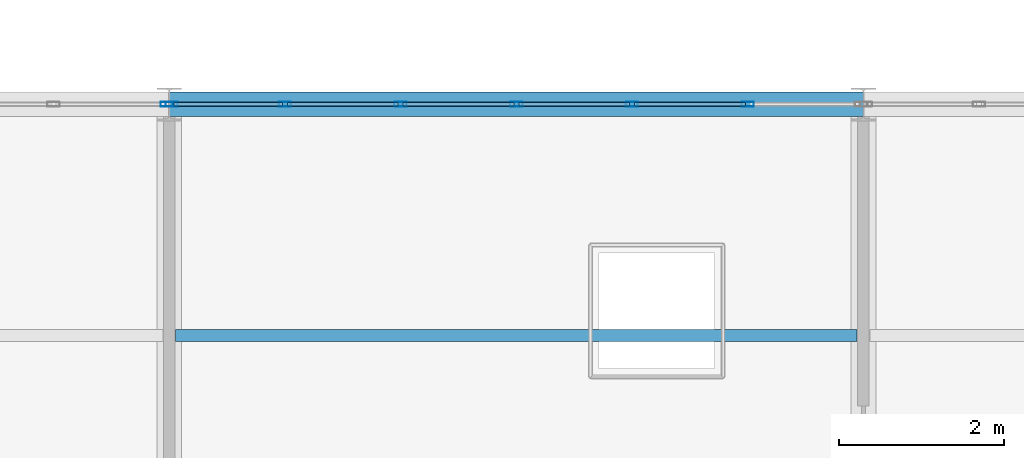
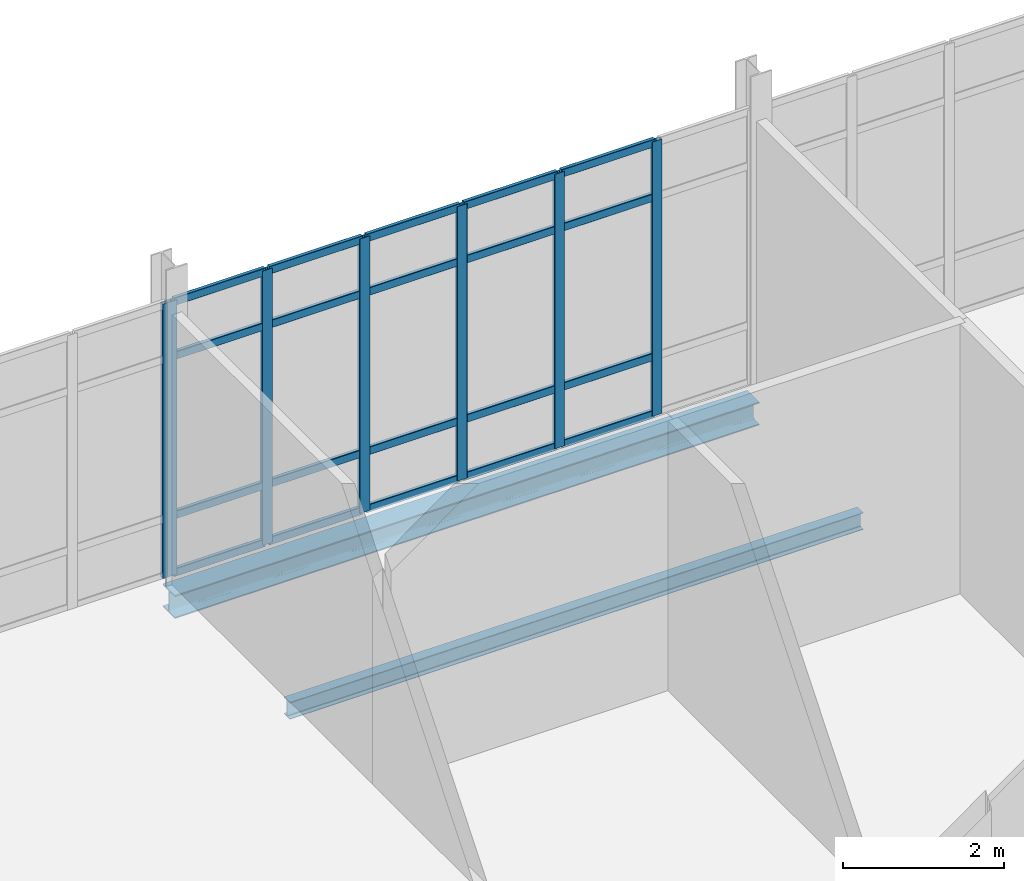
# One storey, part 64 of 145: 27 members, 2 beams, 2 elements without a shape of their own.
"""IFC4 building model written with IfcOpenShell, lengths in metres."""

from ifc_helpers import new_model, si_unit, direction, frame, origin, origin_2d, place, context, subcontext, project, spatial, hollow_rectangle, i_section, extrude, material, layer, layer_set, material_profile, profile_set, type_object, element, aggregate, save


model = new_model("IFC4")

# Units and contexts
model_context = context("Model", 3, precision=1e-05, world=origin(), true_north=direction((0.0, 1.0)))
body_context = subcontext(model_context, "Body", "Model", "MODEL_VIEW")
ifc_project = project(units=[si_unit("LENGTHUNIT", "METRE"), si_unit("AREAUNIT", "SQUARE_METRE"), si_unit("VOLUMEUNIT", "CUBIC_METRE"), si_unit("PLANEANGLEUNIT", "RADIAN"), si_unit("MASSUNIT", "GRAM", prefix="KILO")], contexts=[model_context])

# Site, building, storey
site_placement = place(None, origin())
site = spatial("IfcSite", under=ifc_project, at=site_placement, CompositionType="ELEMENT")
building_placement = place(site_placement, origin())
building = spatial("IfcBuilding", under=site, at=building_placement, Name="Qalvenar Corner Mobility Hub", CompositionType="ELEMENT")
storey_placement = place(building_placement, origin())
storey = spatial("IfcBuildingStorey", under=building, at=storey_placement, Name="L00", CompositionType="ELEMENT", Elevation=0.0)

# Beams
ifc_material_1 = material(Name="Steel S355", Category="steel")
ifc_material_profile_1 = material_profile(ifc_material_1, i_section(OverallWidth=0.14599609375, OverallDepth=0.258056640625, WebThickness=0.006103515625, FlangeThickness=0.009033203125, FilletRadius=0.011962890625, at=origin_2d()), Name="W250x32.7")
ifc_profile_set_1 = profile_set([ifc_material_profile_1], Name="Steel S355")
beam_type_1 = type_object("IfcBeamType", Name="BM-JST250", PredefinedType="JOIST", material=ifc_profile_set_1)
beam_1_placement = place(storey_placement, frame((8.47802734375, 89.60009765625, -0.34912109375), z_axis=(1.0, 0.0, 0.0), x_axis=(0.0, 1.0, 0.0)))
element("IfcBeam", 1, at=beam_1_placement, inside=storey, type_object=beam_type_1, Name="Composite Floor Joist J-0498", PredefinedType="JOIST", context=body_context, shape_type="SweptSolid", body=[
    extrude(i_section(OverallWidth=0.14599609375, OverallDepth=0.258056640625, WebThickness=0.006103515625, FlangeThickness=0.009033203125, FilletRadius=0.011962890625, at=origin_2d()), origin(), (0.0, 0.0, 1.0), 8.243896484375),
])
ifc_material_profile_2 = material_profile(ifc_material_1, i_section(OverallWidth=0.300048828125, OverallDepth=0.35009765625, WebThickness=0.010009765625, FlangeThickness=0.017578125, FilletRadius=0.027099609375, at=origin_2d()), Name="HEA360")
ifc_profile_set_2 = profile_set([ifc_material_profile_2], Name="Steel S355")
beam_type_2 = type_object("IfcBeamType", Name="BM-SPN360", PredefinedType="SPANDREL", material=ifc_profile_set_2)
beam_2_placement = place(storey_placement, frame((8.39990234375, 92.39990234375, -0.39501953125), z_axis=(1.0, 0.0, 0.0), x_axis=(0.0, 1.0, 0.0)))
element("IfcBeam", 2, at=beam_2_placement, inside=storey, type_object=beam_type_2, Name="Primary Steel Girder GX-0444", PredefinedType="SPANDREL", context=body_context, shape_type="SweptSolid", body=[
    extrude(i_section(OverallWidth=0.300048828125, OverallDepth=0.35009765625, WebThickness=0.010009765625, FlangeThickness=0.017578125, FilletRadius=0.027099609375, at=origin_2d()), origin(), (0.0, 0.0, 1.0), 8.400146484375),
])

# Curtain wall, member
ifc_material_2 = material(Name="Anodised Aluminium and Low-E Glazing", Category="aluminium")
ifc_layer = layer(ifc_material_2, 0.14990234375)
ifc_layer_set = layer_set([ifc_layer], Name="Anodised Aluminium and Low-E Glazing")
curtain_wall_type = type_object("IfcCurtainWallType", Name="CW-CYC-84X39", PredefinedType="NOTDEFINED", material=ifc_layer_set)
curtain_wall_1_placement = place(storey_placement, origin())
curtain_wall_1 = element("IfcCurtainWall", 3, at=curtain_wall_1_placement, inside=storey, type_object=curtain_wall_type, Name="Glazed Curtain Wall CW-V5-L00-N0", PredefinedType="NOTDEFINED")
ifc_material_3 = material(Name="Anodised Aluminium 6063-T6", Category="aluminium")
ifc_material_profile_3 = material_profile(ifc_material_3, hollow_rectangle(XDim=0.06005859375, YDim=0.14990234375, WallThickness=0.00390625, InnerFilletRadius=0.00390625, OuterFilletRadius=0.008056640625, at=origin_2d()), Name="RHS150x60x4")
ifc_profile_set_3 = profile_set([ifc_material_profile_3], Name="Anodised Aluminium 6063-T6")
member_type_1 = type_object("IfcMemberType", Name="CW-MUL150", PredefinedType="MULLION", material=ifc_profile_set_3)
member_1_placement = place(storey_placement, frame((8.3701171875, 92.39990234375, 0.0), z_axis=(0.0, 0.0, 1.0), x_axis=(0.0, -1.0, 0.0)))
member_1 = element("IfcMember", 4, at=member_1_placement, type_object=member_type_1, Name="CW-08 mullion 1", PredefinedType="MULLION", context=body_context, shape_type="SweptSolid", body=[
    extrude(hollow_rectangle(XDim=0.06005859375, YDim=0.14990234375, WallThickness=0.00390625, InnerFilletRadius=0.00390625, OuterFilletRadius=0.008056640625, at=origin_2d()), origin(), (0.0, 0.0, 1.0), 4.169921875),
])
aggregate(curtain_wall_1, [member_1])

# Curtain wall, members
curtain_wall_2_placement = place(storey_placement, origin())
curtain_wall_2 = element("IfcCurtainWall", 5, at=curtain_wall_2_placement, inside=storey, type_object=curtain_wall_type, Name="Glazed Curtain Wall CW-V5-L00-N1", PredefinedType="NOTDEFINED")
member_2_placement = place(storey_placement, frame((15.39990234375, 92.39990234375, 0.0), z_axis=(0.0, 0.0, 1.0), x_axis=(0.0, -1.0, 0.0)))
member_2 = element("IfcMember", 6, at=member_2_placement, type_object=member_type_1, Name="CW-08 mullion 2", PredefinedType="MULLION", context=body_context, shape_type="SweptSolid", body=[
    extrude(hollow_rectangle(XDim=0.06005859375, YDim=0.14990234375, WallThickness=0.00390625, InnerFilletRadius=0.00390625, OuterFilletRadius=0.008056640625, at=origin_2d()), origin(), (0.0, 0.0, 1.0), 4.169921875),
])
member_3_placement = place(storey_placement, frame((14.0, 92.39990234375, 0.0), z_axis=(0.0, 0.0, 1.0), x_axis=(0.0, -1.0, 0.0)))
member_3 = element("IfcMember", 7, at=member_3_placement, type_object=member_type_1, Name="CW-08 mullion 3", PredefinedType="MULLION", context=body_context, shape_type="SweptSolid", body=[
    extrude(hollow_rectangle(XDim=0.06005859375, YDim=0.14990234375, WallThickness=0.00390625, InnerFilletRadius=0.00390625, OuterFilletRadius=0.008056640625, at=origin_2d()), origin(), (0.0, 0.0, 1.0), 4.169921875),
])
member_4_placement = place(storey_placement, frame((12.60009765625, 92.39990234375, 0.0), z_axis=(0.0, 0.0, 1.0), x_axis=(0.0, -1.0, 0.0)))
member_4 = element("IfcMember", 8, at=member_4_placement, type_object=member_type_1, Name="CW-08 mullion 4", PredefinedType="MULLION", context=body_context, shape_type="SweptSolid", body=[
    extrude(hollow_rectangle(XDim=0.06005859375, YDim=0.14990234375, WallThickness=0.00390625, InnerFilletRadius=0.00390625, OuterFilletRadius=0.008056640625, at=origin_2d()), origin(), (0.0, 0.0, 1.0), 4.169921875),
])
member_5_placement = place(storey_placement, frame((11.199951171875, 92.39990234375, 0.0), z_axis=(0.0, 0.0, 1.0), x_axis=(0.0, -1.0, 0.0)))
member_5 = element("IfcMember", 9, at=member_5_placement, type_object=member_type_1, Name="CW-08 mullion 5", PredefinedType="MULLION", context=body_context, shape_type="SweptSolid", body=[
    extrude(hollow_rectangle(XDim=0.06005859375, YDim=0.14990234375, WallThickness=0.00390625, InnerFilletRadius=0.00390625, OuterFilletRadius=0.008056640625, at=origin_2d()), origin(), (0.0, 0.0, 1.0), 4.169921875),
])
member_6_placement = place(storey_placement, frame((9.800048828125, 92.39990234375, 0.0), z_axis=(0.0, 0.0, 1.0), x_axis=(0.0, -1.0, 0.0)))
member_6 = element("IfcMember", 10, at=member_6_placement, type_object=member_type_1, Name="CW-08 mullion 6", PredefinedType="MULLION", context=body_context, shape_type="SweptSolid", body=[
    extrude(hollow_rectangle(XDim=0.06005859375, YDim=0.14990234375, WallThickness=0.00390625, InnerFilletRadius=0.00390625, OuterFilletRadius=0.008056640625, at=origin_2d()), origin(), (0.0, 0.0, 1.0), 4.169921875),
])
member_7_placement = place(storey_placement, frame((8.429931640625, 92.39990234375, 0.0), z_axis=(0.0, 0.0, 1.0), x_axis=(0.0, -1.0, 0.0)))
member_7 = element("IfcMember", 11, at=member_7_placement, type_object=member_type_1, Name="CW-08 mullion 7", PredefinedType="MULLION", context=body_context, shape_type="SweptSolid", body=[
    extrude(hollow_rectangle(XDim=0.06005859375, YDim=0.14990234375, WallThickness=0.00390625, InnerFilletRadius=0.00390625, OuterFilletRadius=0.008056640625, at=origin_2d()), origin(), (0.0, 0.0, 1.0), 4.169921875),
])
ifc_material_profile_4 = material_profile(ifc_material_3, hollow_rectangle(XDim=0.054931640625, YDim=0.1201171875, WallThickness=0.00341796875, InnerFilletRadius=0.00341796875, OuterFilletRadius=0.007080078125, at=origin_2d()), Name="RHS120x55x3.5")
ifc_profile_set_4 = profile_set([ifc_material_profile_4], Name="Anodised Aluminium 6063-T6")
member_type_2 = type_object("IfcMemberType", Name="CW-TRN120", PredefinedType="USERDEFINED", material=ifc_profile_set_4)
member_8_placement = place(storey_placement, frame((15.3701171875, 92.39990234375, 0.027587890625), z_axis=(-1.0, 0.0, 0.0), x_axis=(0.0, -1.0, 0.0)))
member_8 = element("IfcMember", 12, at=member_8_placement, type_object=member_type_2, Name="CW-08 transom 2.1", ObjectType="TRANSOM", PredefinedType="USERDEFINED", context=body_context, shape_type="SweptSolid", body=[
    extrude(hollow_rectangle(XDim=0.054931640625, YDim=0.1201171875, WallThickness=0.00341796875, InnerFilletRadius=0.00341796875, OuterFilletRadius=0.007080078125, at=origin_2d()), origin(), (0.0, 0.0, 1.0), 1.340087890625),
])
member_9_placement = place(storey_placement, frame((15.3701171875, 92.39990234375, 0.89990234375), z_axis=(-1.0, 0.0, 0.0), x_axis=(0.0, -1.0, 0.0)))
member_9 = element("IfcMember", 13, at=member_9_placement, type_object=member_type_2, Name="CW-08 transom 2.2", ObjectType="TRANSOM", PredefinedType="USERDEFINED", context=body_context, shape_type="SweptSolid", body=[
    extrude(hollow_rectangle(XDim=0.054931640625, YDim=0.1201171875, WallThickness=0.00341796875, InnerFilletRadius=0.00341796875, OuterFilletRadius=0.007080078125, at=origin_2d()), origin(), (0.0, 0.0, 1.0), 1.340087890625),
])
member_10_placement = place(storey_placement, frame((15.3701171875, 92.39990234375, 3.320068359375), z_axis=(-1.0, 0.0, 0.0), x_axis=(0.0, -1.0, 0.0)))
member_10 = element("IfcMember", 14, at=member_10_placement, type_object=member_type_2, Name="CW-08 transom 2.3", ObjectType="TRANSOM", PredefinedType="USERDEFINED", context=body_context, shape_type="SweptSolid", body=[
    extrude(hollow_rectangle(XDim=0.054931640625, YDim=0.1201171875, WallThickness=0.00341796875, InnerFilletRadius=0.00341796875, OuterFilletRadius=0.007080078125, at=origin_2d()), origin(), (0.0, 0.0, 1.0), 1.340087890625),
])
member_11_placement = place(storey_placement, frame((15.3701171875, 92.39990234375, 4.142578125), z_axis=(-1.0, 0.0, 0.0), x_axis=(0.0, -1.0, 0.0)))
member_11 = element("IfcMember", 15, at=member_11_placement, type_object=member_type_2, Name="CW-08 transom 2.4", ObjectType="TRANSOM", PredefinedType="USERDEFINED", context=body_context, shape_type="SweptSolid", body=[
    extrude(hollow_rectangle(XDim=0.054931640625, YDim=0.1201171875, WallThickness=0.00341796875, InnerFilletRadius=0.00341796875, OuterFilletRadius=0.007080078125, at=origin_2d()), origin(), (0.0, 0.0, 1.0), 1.340087890625),
])
member_12_placement = place(storey_placement, frame((13.969970703125, 92.39990234375, 0.027587890625), z_axis=(-1.0, 0.0, 0.0), x_axis=(0.0, -1.0, 0.0)))
member_12 = element("IfcMember", 16, at=member_12_placement, type_object=member_type_2, Name="CW-08 transom 3.1", ObjectType="TRANSOM", PredefinedType="USERDEFINED", context=body_context, shape_type="SweptSolid", body=[
    extrude(hollow_rectangle(XDim=0.054931640625, YDim=0.1201171875, WallThickness=0.00341796875, InnerFilletRadius=0.00341796875, OuterFilletRadius=0.007080078125, at=origin_2d()), origin(), (0.0, 0.0, 1.0), 1.340087890625),
])
member_13_placement = place(storey_placement, frame((13.969970703125, 92.39990234375, 0.89990234375), z_axis=(-1.0, 0.0, 0.0), x_axis=(0.0, -1.0, 0.0)))
member_13 = element("IfcMember", 17, at=member_13_placement, type_object=member_type_2, Name="CW-08 transom 3.2", ObjectType="TRANSOM", PredefinedType="USERDEFINED", context=body_context, shape_type="SweptSolid", body=[
    extrude(hollow_rectangle(XDim=0.054931640625, YDim=0.1201171875, WallThickness=0.00341796875, InnerFilletRadius=0.00341796875, OuterFilletRadius=0.007080078125, at=origin_2d()), origin(), (0.0, 0.0, 1.0), 1.340087890625),
])
member_14_placement = place(storey_placement, frame((13.969970703125, 92.39990234375, 3.320068359375), z_axis=(-1.0, 0.0, 0.0), x_axis=(0.0, -1.0, 0.0)))
member_14 = element("IfcMember", 18, at=member_14_placement, type_object=member_type_2, Name="CW-08 transom 3.3", ObjectType="TRANSOM", PredefinedType="USERDEFINED", context=body_context, shape_type="SweptSolid", body=[
    extrude(hollow_rectangle(XDim=0.054931640625, YDim=0.1201171875, WallThickness=0.00341796875, InnerFilletRadius=0.00341796875, OuterFilletRadius=0.007080078125, at=origin_2d()), origin(), (0.0, 0.0, 1.0), 1.340087890625),
])
member_15_placement = place(storey_placement, frame((13.969970703125, 92.39990234375, 4.142578125), z_axis=(-1.0, 0.0, 0.0), x_axis=(0.0, -1.0, 0.0)))
member_15 = element("IfcMember", 19, at=member_15_placement, type_object=member_type_2, Name="CW-08 transom 3.4", ObjectType="TRANSOM", PredefinedType="USERDEFINED", context=body_context, shape_type="SweptSolid", body=[
    extrude(hollow_rectangle(XDim=0.054931640625, YDim=0.1201171875, WallThickness=0.00341796875, InnerFilletRadius=0.00341796875, OuterFilletRadius=0.007080078125, at=origin_2d()), origin(), (0.0, 0.0, 1.0), 1.340087890625),
])
member_16_placement = place(storey_placement, frame((12.570068359375, 92.39990234375, 0.027587890625), z_axis=(-1.0, 0.0, 0.0), x_axis=(0.0, -1.0, 0.0)))
member_16 = element("IfcMember", 20, at=member_16_placement, type_object=member_type_2, Name="CW-08 transom 4.1", ObjectType="TRANSOM", PredefinedType="USERDEFINED", context=body_context, shape_type="SweptSolid", body=[
    extrude(hollow_rectangle(XDim=0.054931640625, YDim=0.1201171875, WallThickness=0.00341796875, InnerFilletRadius=0.00341796875, OuterFilletRadius=0.007080078125, at=origin_2d()), origin(), (0.0, 0.0, 1.0), 1.340087890625),
])
member_17_placement = place(storey_placement, frame((12.570068359375, 92.39990234375, 0.89990234375), z_axis=(-1.0, 0.0, 0.0), x_axis=(0.0, -1.0, 0.0)))
member_17 = element("IfcMember", 21, at=member_17_placement, type_object=member_type_2, Name="CW-08 transom 4.2", ObjectType="TRANSOM", PredefinedType="USERDEFINED", context=body_context, shape_type="SweptSolid", body=[
    extrude(hollow_rectangle(XDim=0.054931640625, YDim=0.1201171875, WallThickness=0.00341796875, InnerFilletRadius=0.00341796875, OuterFilletRadius=0.007080078125, at=origin_2d()), origin(), (0.0, 0.0, 1.0), 1.340087890625),
])
member_18_placement = place(storey_placement, frame((12.570068359375, 92.39990234375, 3.320068359375), z_axis=(-1.0, 0.0, 0.0), x_axis=(0.0, -1.0, 0.0)))
member_18 = element("IfcMember", 22, at=member_18_placement, type_object=member_type_2, Name="CW-08 transom 4.3", ObjectType="TRANSOM", PredefinedType="USERDEFINED", context=body_context, shape_type="SweptSolid", body=[
    extrude(hollow_rectangle(XDim=0.054931640625, YDim=0.1201171875, WallThickness=0.00341796875, InnerFilletRadius=0.00341796875, OuterFilletRadius=0.007080078125, at=origin_2d()), origin(), (0.0, 0.0, 1.0), 1.340087890625),
])
member_19_placement = place(storey_placement, frame((12.570068359375, 92.39990234375, 4.142578125), z_axis=(-1.0, 0.0, 0.0), x_axis=(0.0, -1.0, 0.0)))
member_19 = element("IfcMember", 23, at=member_19_placement, type_object=member_type_2, Name="CW-08 transom 4.4", ObjectType="TRANSOM", PredefinedType="USERDEFINED", context=body_context, shape_type="SweptSolid", body=[
    extrude(hollow_rectangle(XDim=0.054931640625, YDim=0.1201171875, WallThickness=0.00341796875, InnerFilletRadius=0.00341796875, OuterFilletRadius=0.007080078125, at=origin_2d()), origin(), (0.0, 0.0, 1.0), 1.340087890625),
])
member_20_placement = place(storey_placement, frame((11.169921875, 92.39990234375, 0.027587890625), z_axis=(-1.0, 0.0, 0.0), x_axis=(0.0, -1.0, 0.0)))
member_20 = element("IfcMember", 24, at=member_20_placement, type_object=member_type_2, Name="CW-08 transom 5.1", ObjectType="TRANSOM", PredefinedType="USERDEFINED", context=body_context, shape_type="SweptSolid", body=[
    extrude(hollow_rectangle(XDim=0.054931640625, YDim=0.1201171875, WallThickness=0.00341796875, InnerFilletRadius=0.00341796875, OuterFilletRadius=0.007080078125, at=origin_2d()), origin(), (0.0, 0.0, 1.0), 1.33984375),
])
member_21_placement = place(storey_placement, frame((11.169921875, 92.39990234375, 0.89990234375), z_axis=(-1.0, 0.0, 0.0), x_axis=(0.0, -1.0, 0.0)))
member_21 = element("IfcMember", 25, at=member_21_placement, type_object=member_type_2, Name="CW-08 transom 5.2", ObjectType="TRANSOM", PredefinedType="USERDEFINED", context=body_context, shape_type="SweptSolid", body=[
    extrude(hollow_rectangle(XDim=0.054931640625, YDim=0.1201171875, WallThickness=0.00341796875, InnerFilletRadius=0.00341796875, OuterFilletRadius=0.007080078125, at=origin_2d()), origin(), (0.0, 0.0, 1.0), 1.33984375),
])
member_22_placement = place(storey_placement, frame((11.169921875, 92.39990234375, 3.320068359375), z_axis=(-1.0, 0.0, 0.0), x_axis=(0.0, -1.0, 0.0)))
member_22 = element("IfcMember", 26, at=member_22_placement, type_object=member_type_2, Name="CW-08 transom 5.3", ObjectType="TRANSOM", PredefinedType="USERDEFINED", context=body_context, shape_type="SweptSolid", body=[
    extrude(hollow_rectangle(XDim=0.054931640625, YDim=0.1201171875, WallThickness=0.00341796875, InnerFilletRadius=0.00341796875, OuterFilletRadius=0.007080078125, at=origin_2d()), origin(), (0.0, 0.0, 1.0), 1.33984375),
])
member_23_placement = place(storey_placement, frame((11.169921875, 92.39990234375, 4.142578125), z_axis=(-1.0, 0.0, 0.0), x_axis=(0.0, -1.0, 0.0)))
member_23 = element("IfcMember", 27, at=member_23_placement, type_object=member_type_2, Name="CW-08 transom 5.4", ObjectType="TRANSOM", PredefinedType="USERDEFINED", context=body_context, shape_type="SweptSolid", body=[
    extrude(hollow_rectangle(XDim=0.054931640625, YDim=0.1201171875, WallThickness=0.00341796875, InnerFilletRadius=0.00341796875, OuterFilletRadius=0.007080078125, at=origin_2d()), origin(), (0.0, 0.0, 1.0), 1.33984375),
])
member_24_placement = place(storey_placement, frame((9.77001953125, 92.39990234375, 0.027587890625), z_axis=(-1.0, 0.0, 0.0), x_axis=(0.0, -1.0, 0.0)))
member_24 = element("IfcMember", 28, at=member_24_placement, type_object=member_type_2, Name="CW-08 transom 6.1", ObjectType="TRANSOM", PredefinedType="USERDEFINED", context=body_context, shape_type="SweptSolid", body=[
    extrude(hollow_rectangle(XDim=0.054931640625, YDim=0.1201171875, WallThickness=0.00341796875, InnerFilletRadius=0.00341796875, OuterFilletRadius=0.007080078125, at=origin_2d()), origin(), (0.0, 0.0, 1.0), 1.31005859375),
])
member_25_placement = place(storey_placement, frame((9.77001953125, 92.39990234375, 0.89990234375), z_axis=(-1.0, 0.0, 0.0), x_axis=(0.0, -1.0, 0.0)))
member_25 = element("IfcMember", 29, at=member_25_placement, type_object=member_type_2, Name="CW-08 transom 6.2", ObjectType="TRANSOM", PredefinedType="USERDEFINED", context=body_context, shape_type="SweptSolid", body=[
    extrude(hollow_rectangle(XDim=0.054931640625, YDim=0.1201171875, WallThickness=0.00341796875, InnerFilletRadius=0.00341796875, OuterFilletRadius=0.007080078125, at=origin_2d()), origin(), (0.0, 0.0, 1.0), 1.31005859375),
])
member_26_placement = place(storey_placement, frame((9.77001953125, 92.39990234375, 3.320068359375), z_axis=(-1.0, 0.0, 0.0), x_axis=(0.0, -1.0, 0.0)))
member_26 = element("IfcMember", 30, at=member_26_placement, type_object=member_type_2, Name="CW-08 transom 6.3", ObjectType="TRANSOM", PredefinedType="USERDEFINED", context=body_context, shape_type="SweptSolid", body=[
    extrude(hollow_rectangle(XDim=0.054931640625, YDim=0.1201171875, WallThickness=0.00341796875, InnerFilletRadius=0.00341796875, OuterFilletRadius=0.007080078125, at=origin_2d()), origin(), (0.0, 0.0, 1.0), 1.31005859375),
])
member_27_placement = place(storey_placement, frame((9.77001953125, 92.39990234375, 4.142578125), z_axis=(-1.0, 0.0, 0.0), x_axis=(0.0, -1.0, 0.0)))
member_27 = element("IfcMember", 31, at=member_27_placement, type_object=member_type_2, Name="CW-08 transom 6.4", ObjectType="TRANSOM", PredefinedType="USERDEFINED", context=body_context, shape_type="SweptSolid", body=[
    extrude(hollow_rectangle(XDim=0.054931640625, YDim=0.1201171875, WallThickness=0.00341796875, InnerFilletRadius=0.00341796875, OuterFilletRadius=0.007080078125, at=origin_2d()), origin(), (0.0, 0.0, 1.0), 1.31005859375),
])
aggregate(curtain_wall_2, [member_2, member_3, member_4, member_5, member_6, member_7, member_8, member_9, member_10, member_11, member_12, member_13, member_14, member_15, member_16, member_17, member_18, member_19, member_20, member_21, member_22, member_23, member_24, member_25, member_26, member_27])

save(model, "model.ifc")
